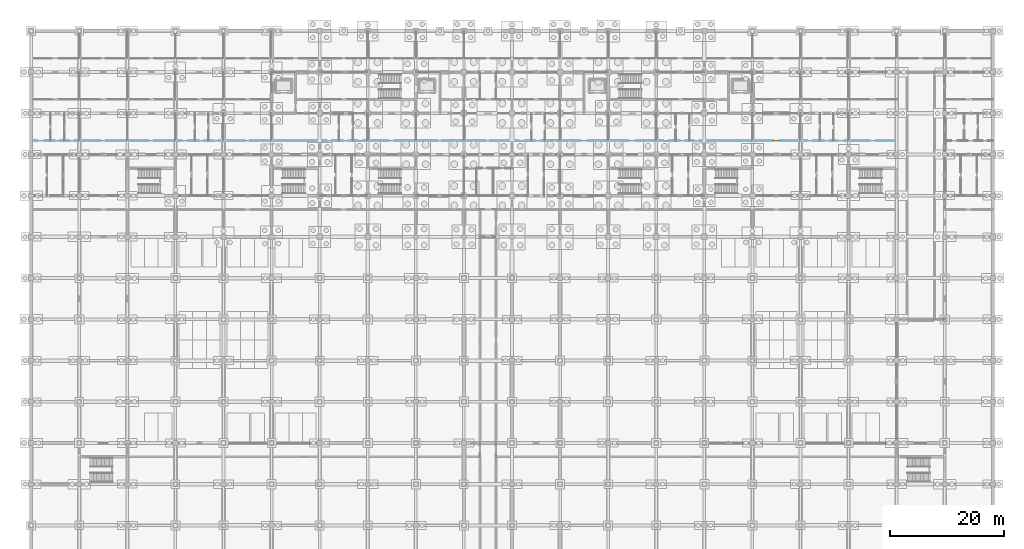
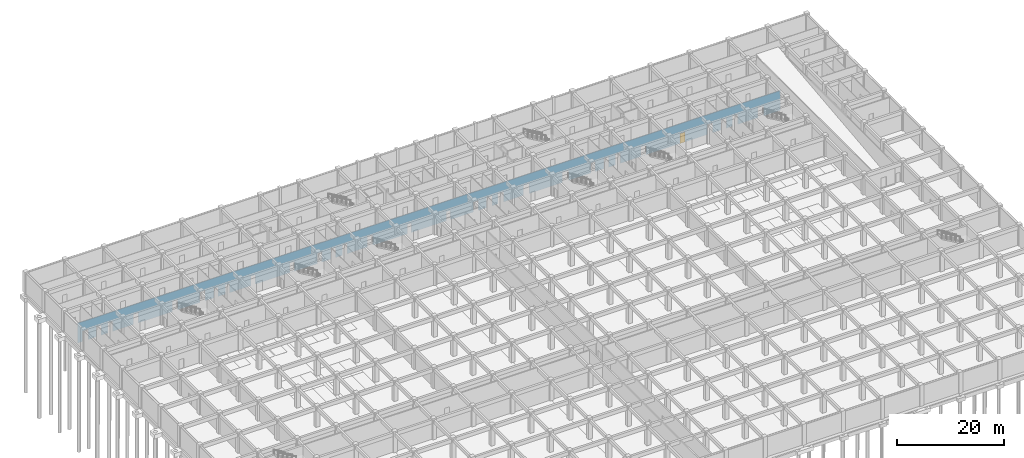
# One storey, part 66 of 85: 1 door, 30 openings, plus 1 element that does not belong to this part.
"""IFC4 building model written with IfcOpenShell, lengths in metres."""

from ifc_helpers import new_model, si_unit, direction, frame, frame_2d, origin, place, context, subcontext, project, spatial, rectangle, extrude, material, layer, layer_set, type_object, element, fill, save


model = new_model("IFC4")

# Units and contexts
model_context = context("Model", 3, precision=1e-05, world=origin(), true_north=direction((0.0, 1.0)))
body_context = subcontext(model_context, "Body", "Model", "MODEL_VIEW")
ifc_project = project(units=[si_unit("LENGTHUNIT", "METRE"), si_unit("AREAUNIT", "SQUARE_METRE"), si_unit("VOLUMEUNIT", "CUBIC_METRE"), si_unit("PLANEANGLEUNIT", "RADIAN"), si_unit("MASSUNIT", "GRAM", prefix="KILO")], contexts=[model_context])

# Site, building, storey
site_placement = place(None, origin())
site = spatial("IfcSite", under=ifc_project, at=site_placement, CompositionType="ELEMENT")
building_placement = place(site_placement, origin())
building = spatial("IfcBuilding", under=site, at=building_placement, Name="Chengyuan Square Courthouse", CompositionType="ELEMENT")
storey_placement = place(building_placement, frame((0.0, 0.0, -10.199951171875)))
storey = spatial("IfcBuildingStorey", under=building, at=storey_placement, Name="B02", CompositionType="ELEMENT", Elevation=-10.199951171875)

# Wall, openings, door
ifc_material_1 = material(Name="Gypsum Plasterboard Acoustic Stud Partition")
ifc_layer = layer(ifc_material_1, 0.10009765625)
ifc_layer_set = layer_set([ifc_layer], Name="Gypsum Plasterboard Acoustic Stud Partition")
wall_type = type_object("IfcWallType", Name="WL-PT6", PredefinedType="STANDARD", material=ifc_layer_set)
wall_placement = place(storey_placement, frame((0.0400390625, 96.0, 0.0), z_axis=(0.0, 0.0, 1.0), x_axis=(1.0, 0.0, 0.0)))
wall = element("IfcWall", 1, at=wall_placement, inside=storey, type_object=wall_type, Name="Interior Wall WL-B02-I062", PredefinedType="STANDARD", context=body_context, shape_type="SweptSolid", body=[
    extrude(rectangle(XDim=151.159912109375, YDim=0.10009765625, at=frame_2d((75.580078125, 0.0))), origin(), (0.0, 0.0, 1.0), 4.47998046875),
])
opening_1_placement = place(wall_placement, frame((1.0400390625, 0.0, 0.0)))
element("IfcOpeningElement", 2, at=opening_1_placement, cuts=wall, Name="Opening DR-148", PredefinedType="OPENING", context=body_context, shape_type="SweptSolid", body=[
    extrude(rectangle(XDim=1.280029296875, YDim=2.35009765625, at=frame_2d((0.64013671875, 1.175048828125))), frame((0.0, 0.06201171875, 0.0), z_axis=(0.0, -1.0, 0.0), x_axis=(1.0, 0.0, 0.0)), (0.0, 0.0, 1.0), 0.1240234375),
])
opening_2_placement = place(wall_placement, frame((4.090087890625, 0.0, 0.0)))
element("IfcOpeningElement", 3, at=opening_2_placement, cuts=wall, Name="Opening DR-149", PredefinedType="OPENING", context=body_context, shape_type="SweptSolid", body=[
    extrude(rectangle(XDim=0.93994140625, YDim=2.300048828125, at=frame_2d((0.469970703125, 1.14990234375))), frame((0.0, 0.06201171875, 0.0), z_axis=(0.0, -1.0, 0.0), x_axis=(1.0, 0.0, 0.0)), (0.0, 0.0, 1.0), 0.1240234375),
])
opening_3_placement = place(wall_placement, frame((6.570068359375, 0.0, 0.0)))
element("IfcOpeningElement", 4, at=opening_3_placement, cuts=wall, Name="Opening DR-150", PredefinedType="OPENING", context=body_context, shape_type="SweptSolid", body=[
    extrude(rectangle(XDim=0.97998046875, YDim=2.35009765625, at=frame_2d((0.489990234375, 1.175048828125))), frame((0.0, 0.06201171875, 0.0), z_axis=(0.0, -1.0, 0.0), x_axis=(1.0, 0.0, 0.0)), (0.0, 0.0, 1.0), 0.1240234375),
])
opening_4_placement = place(wall_placement, frame((12.050048828125, 0.0, 0.0)))
element("IfcOpeningElement", 5, at=opening_4_placement, cuts=wall, Name="Opening DR-151", PredefinedType="OPENING", context=body_context, shape_type="SweptSolid", body=[
    extrude(rectangle(XDim=1.02001953125, YDim=2.39990234375, at=frame_2d((0.510009765625, 1.199951171875))), frame((0.0, 0.06201171875, 0.0), z_axis=(0.0, -1.0, 0.0), x_axis=(1.0, 0.0, 0.0)), (0.0, 0.0, 1.0), 0.1240234375),
])
opening_5_placement = place(wall_placement, frame((20.429931640625, 0.0, 0.0)))
element("IfcOpeningElement", 6, at=opening_5_placement, cuts=wall, Name="Opening DR-152", PredefinedType="OPENING", context=body_context, shape_type="SweptSolid", body=[
    extrude(rectangle(XDim=1.06005859375, YDim=2.39990234375, at=frame_2d((0.530029296875, 1.199951171875))), frame((0.0, 0.06201171875, 0.0), z_axis=(0.0, -1.0, 0.0), x_axis=(1.0, 0.0, 0.0)), (0.0, 0.0, 1.0), 0.1240234375),
])
opening_6_placement = place(wall_placement, frame((26.2900390625, 0.0, 0.0)))
element("IfcOpeningElement", 7, at=opening_6_placement, cuts=wall, Name="Opening DR-153", PredefinedType="OPENING", context=body_context, shape_type="SweptSolid", body=[
    extrude(rectangle(XDim=1.139892578125, YDim=2.39990234375, at=frame_2d((0.56982421875, 1.199951171875))), frame((0.0, 0.06201171875, 0.0), z_axis=(0.0, -1.0, 0.0), x_axis=(1.0, 0.0, 0.0)), (0.0, 0.0, 1.0), 0.1240234375),
])
opening_7_placement = place(wall_placement, frame((29.31005859375, 0.0, 0.0)))
element("IfcOpeningElement", 8, at=opening_7_placement, cuts=wall, Name="Opening DR-154", PredefinedType="OPENING", context=body_context, shape_type="SweptSolid", body=[
    extrude(rectangle(XDim=0.89990234375, YDim=2.14990234375, at=frame_2d((0.449951171875, 1.074951171875))), frame((0.0, 0.06201171875, 0.0), z_axis=(0.0, -1.0, 0.0), x_axis=(1.0, 0.0, 0.0)), (0.0, 0.0, 1.0), 0.1240234375),
])
opening_8_placement = place(wall_placement, frame((31.830078125, 0.0, 0.0)))
element("IfcOpeningElement", 9, at=opening_8_placement, cuts=wall, Name="Opening DR-155", PredefinedType="OPENING", context=body_context, shape_type="SweptSolid", body=[
    extrude(rectangle(XDim=0.860107421875, YDim=2.10009765625, at=frame_2d((0.43017578125, 1.050048828125))), frame((0.0, 0.06201171875, 0.0), z_axis=(0.0, -1.0, 0.0), x_axis=(1.0, 0.0, 0.0)), (0.0, 0.0, 1.0), 0.1240234375),
])
opening_9_placement = place(wall_placement, frame((37.300048828125, 0.0, 0.0)))
element("IfcOpeningElement", 10, at=opening_9_placement, cuts=wall, Name="Opening DR-156", PredefinedType="OPENING", context=body_context, shape_type="SweptSolid", body=[
    extrude(rectangle(XDim=0.919921875, YDim=2.14990234375, at=frame_2d((0.4599609375, 1.074951171875))), frame((0.0, 0.06201171875, 0.0), z_axis=(0.0, -1.0, 0.0), x_axis=(1.0, 0.0, 0.0)), (0.0, 0.0, 1.0), 0.1240234375),
])
opening_10_placement = place(wall_placement, frame((45.679931640625, 0.0, 0.0)))
element("IfcOpeningElement", 11, at=opening_10_placement, cuts=wall, Name="Opening DR-157", PredefinedType="OPENING", context=body_context, shape_type="SweptSolid", body=[
    extrude(rectangle(XDim=0.9599609375, YDim=2.199951171875, at=frame_2d((0.47998046875, 1.10009765625))), frame((0.0, 0.06201171875, 0.0), z_axis=(0.0, -1.0, 0.0), x_axis=(1.0, 0.0, 0.0)), (0.0, 0.0, 1.0), 0.1240234375),
])
opening_11_placement = place(wall_placement, frame((51.570068359375, 0.0, 0.0)))
element("IfcOpeningElement", 12, at=opening_11_placement, cuts=wall, Name="Opening DR-167", PredefinedType="OPENING", context=body_context, shape_type="SweptSolid", body=[
    extrude(rectangle(XDim=0.97998046875, YDim=2.35009765625, at=frame_2d((0.489990234375, 1.175048828125))), frame((0.0, 0.06201171875, 0.0), z_axis=(0.0, -1.0, 0.0), x_axis=(1.0, 0.0, 0.0)), (0.0, 0.0, 1.0), 0.1240234375),
])
opening_12_placement = place(wall_placement, frame((54.449951171875, 0.0, 0.0)))
element("IfcOpeningElement", 13, at=opening_12_placement, cuts=wall, Name="Opening DR-168", PredefinedType="OPENING", context=body_context, shape_type="SweptSolid", body=[
    extrude(rectangle(XDim=1.02001953125, YDim=2.39990234375, at=frame_2d((0.510009765625, 1.199951171875))), frame((0.0, 0.06201171875, 0.0), z_axis=(0.0, -1.0, 0.0), x_axis=(1.0, 0.0, 0.0)), (0.0, 0.0, 1.0), 0.1240234375),
])
opening_13_placement = place(wall_placement, frame((56.929931640625, 0.0, 0.0)))
element("IfcOpeningElement", 14, at=opening_13_placement, cuts=wall, Name="Opening DR-169", PredefinedType="OPENING", context=body_context, shape_type="SweptSolid", body=[
    extrude(rectangle(XDim=1.06005859375, YDim=2.39990234375, at=frame_2d((0.530029296875, 1.199951171875))), frame((0.0, 0.06201171875, 0.0), z_axis=(0.0, -1.0, 0.0), x_axis=(1.0, 0.0, 0.0)), (0.0, 0.0, 1.0), 0.1240234375),
])
opening_14_placement = place(wall_placement, frame((62.389892578125, 0.0, 0.0)))
element("IfcOpeningElement", 15, at=opening_14_placement, cuts=wall, Name="Opening DR-170", PredefinedType="OPENING", context=body_context, shape_type="SweptSolid", body=[
    extrude(rectangle(XDim=1.139892578125, YDim=2.39990234375, at=frame_2d((0.56982421875, 1.199951171875))), frame((0.0, 0.06201171875, 0.0), z_axis=(0.0, -1.0, 0.0), x_axis=(1.0, 0.0, 0.0)), (0.0, 0.0, 1.0), 0.1240234375),
])
opening_15_placement = place(wall_placement, frame((70.909912109375, 0.0, 0.0)))
element("IfcOpeningElement", 16, at=opening_15_placement, cuts=wall, Name="Opening DR-171", PredefinedType="OPENING", context=body_context, shape_type="SweptSolid", body=[
    extrude(rectangle(XDim=0.89990234375, YDim=2.14990234375, at=frame_2d((0.449951171875, 1.074951171875))), frame((0.0, 0.06201171875, 0.0), z_axis=(0.0, -1.0, 0.0), x_axis=(1.0, 0.0, 0.0)), (0.0, 0.0, 1.0), 0.1240234375),
])
opening_16_placement = place(wall_placement, frame((79.330078125, 0.0, 0.0)))
element("IfcOpeningElement", 17, at=opening_16_placement, cuts=wall, Name="Opening DR-172", PredefinedType="OPENING", context=body_context, shape_type="SweptSolid", body=[
    extrude(rectangle(XDim=0.860107421875, YDim=2.10009765625, at=frame_2d((0.43017578125, 1.050048828125))), frame((0.0, 0.06201171875, 0.0), z_axis=(0.0, -1.0, 0.0), x_axis=(1.0, 0.0, 0.0)), (0.0, 0.0, 1.0), 0.1240234375),
])
opening_17_placement = place(wall_placement, frame((85.10009765625, 0.0, 0.0)))
element("IfcOpeningElement", 18, at=opening_17_placement, cuts=wall, Name="Opening DR-178", PredefinedType="OPENING", context=body_context, shape_type="SweptSolid", body=[
    extrude(rectangle(XDim=1.1201171875, YDim=2.25, at=frame_2d((0.56005859375, 1.125))), frame((0.0, 0.06201171875, 0.0), z_axis=(0.0, -1.0, 0.0), x_axis=(1.0, 0.0, 0.0)), (0.0, 0.0, 1.0), 0.1240234375),
])
opening_18_placement = place(wall_placement, frame((87.97998046875, 0.0, 0.0)))
element("IfcOpeningElement", 19, at=opening_18_placement, cuts=wall, Name="Opening DR-179", PredefinedType="OPENING", context=body_context, shape_type="SweptSolid", body=[
    extrude(rectangle(XDim=1.159912109375, YDim=2.300048828125, at=frame_2d((0.580078125, 1.14990234375))), frame((0.0, 0.06201171875, 0.0), z_axis=(0.0, -1.0, 0.0), x_axis=(1.0, 0.0, 0.0)), (0.0, 0.0, 1.0), 0.1240234375),
])
opening_19_placement = place(wall_placement, frame((90.4599609375, 0.0, 0.0)))
element("IfcOpeningElement", 20, at=opening_19_placement, cuts=wall, Name="Opening DR-180", PredefinedType="OPENING", context=body_context, shape_type="SweptSolid", body=[
    extrude(rectangle(XDim=1.199951171875, YDim=2.35009765625, at=frame_2d((0.60009765625, 1.175048828125))), frame((0.0, 0.06201171875, 0.0), z_axis=(0.0, -1.0, 0.0), x_axis=(1.0, 0.0, 0.0)), (0.0, 0.0, 1.0), 0.1240234375),
])
opening_20_placement = place(wall_placement, frame((95.93994140625, 0.0, 0.0)))
element("IfcOpeningElement", 21, at=opening_20_placement, cuts=wall, Name="Opening DR-181", PredefinedType="OPENING", context=body_context, shape_type="SweptSolid", body=[
    extrude(rectangle(XDim=1.239990234375, YDim=2.300048828125, at=frame_2d((0.6201171875, 1.14990234375))), frame((0.0, 0.06201171875, 0.0), z_axis=(0.0, -1.0, 0.0), x_axis=(1.0, 0.0, 0.0)), (0.0, 0.0, 1.0), 0.1240234375),
])
opening_21_placement = place(wall_placement, frame((104.320068359375, 0.0, 0.0)))
element("IfcOpeningElement", 22, at=opening_21_placement, cuts=wall, Name="Opening DR-182", PredefinedType="OPENING", context=body_context, shape_type="SweptSolid", body=[
    extrude(rectangle(XDim=1.280029296875, YDim=2.35009765625, at=frame_2d((0.64013671875, 1.175048828125))), frame((0.0, 0.06201171875, 0.0), z_axis=(0.0, -1.0, 0.0), x_axis=(1.0, 0.0, 0.0)), (0.0, 0.0, 1.0), 0.1240234375),
])
opening_22_placement = place(wall_placement, frame((110.389892578125, 0.0, 0.0)))
element("IfcOpeningElement", 23, at=opening_22_placement, cuts=wall, Name="Opening DR-183", PredefinedType="OPENING", context=body_context, shape_type="SweptSolid", body=[
    extrude(rectangle(XDim=0.93994140625, YDim=2.300048828125, at=frame_2d((0.469970703125, 1.14990234375))), frame((0.0, 0.06201171875, 0.0), z_axis=(0.0, -1.0, 0.0), x_axis=(1.0, 0.0, 0.0)), (0.0, 0.0, 1.0), 0.1240234375),
])
opening_23_placement = place(wall_placement, frame((113.27001953125, 0.0, 0.0)))
element("IfcOpeningElement", 24, at=opening_23_placement, cuts=wall, Name="Opening DR-184", PredefinedType="OPENING", context=body_context, shape_type="SweptSolid", body=[
    extrude(rectangle(XDim=0.97998046875, YDim=2.35009765625, at=frame_2d((0.489990234375, 1.175048828125))), frame((0.0, 0.06201171875, 0.0), z_axis=(0.0, -1.0, 0.0), x_axis=(1.0, 0.0, 0.0)), (0.0, 0.0, 1.0), 0.1240234375),
])
opening_24_placement = place(wall_placement, frame((115.75, 0.0, 0.0)))
element("IfcOpeningElement", 25, at=opening_24_placement, cuts=wall, Name="Opening DR-185", PredefinedType="OPENING", context=body_context, shape_type="SweptSolid", body=[
    extrude(rectangle(XDim=1.02001953125, YDim=2.39990234375, at=frame_2d((0.510009765625, 1.199951171875))), frame((0.0, 0.06201171875, 0.0), z_axis=(0.0, -1.0, 0.0), x_axis=(1.0, 0.0, 0.0)), (0.0, 0.0, 1.0), 0.1240234375),
])
opening_25_placement = place(wall_placement, frame((121.239990234375, 0.0, 0.0)))
element("IfcOpeningElement", 26, at=opening_25_placement, cuts=wall, Name="Opening DR-193", PredefinedType="OPENING", context=body_context, shape_type="SweptSolid", body=[
    extrude(rectangle(XDim=1.0400390625, YDim=2.199951171875, at=frame_2d((0.52001953125, 1.10009765625))), frame((0.0, 0.06201171875, 0.0), z_axis=(0.0, -1.0, 0.0), x_axis=(1.0, 0.0, 0.0)), (0.0, 0.0, 1.0), 0.1240234375),
])
opening_26_placement = place(wall_placement, frame((129.6201171875, 0.0, 0.0)))
opening_26 = element("IfcOpeningElement", 27, at=opening_26_placement, cuts=wall, Name="Opening DR-194", PredefinedType="OPENING", context=body_context, shape_type="SweptSolid", body=[
    extrude(rectangle(XDim=1.080078125, YDim=2.25, at=frame_2d((0.5400390625, 1.125))), frame((0.0, 0.06201171875, 0.0), z_axis=(0.0, -1.0, 0.0), x_axis=(1.0, 0.0, 0.0)), (0.0, 0.0, 1.0), 0.1240234375),
])
opening_27_placement = place(wall_placement, frame((135.5, 0.0, 0.0)))
element("IfcOpeningElement", 28, at=opening_27_placement, cuts=wall, Name="Opening DR-195", PredefinedType="OPENING", context=body_context, shape_type="SweptSolid", body=[
    extrude(rectangle(XDim=1.1201171875, YDim=2.25, at=frame_2d((0.56005859375, 1.125))), frame((0.0, 0.06201171875, 0.0), z_axis=(0.0, -1.0, 0.0), x_axis=(1.0, 0.0, 0.0)), (0.0, 0.0, 1.0), 0.1240234375),
])
opening_28_placement = place(wall_placement, frame((138.3798828125, 0.0, 0.0)))
element("IfcOpeningElement", 29, at=opening_28_placement, cuts=wall, Name="Opening DR-196", PredefinedType="OPENING", context=body_context, shape_type="SweptSolid", body=[
    extrude(rectangle(XDim=1.159912109375, YDim=2.300048828125, at=frame_2d((0.580078125, 1.14990234375))), frame((0.0, 0.06201171875, 0.0), z_axis=(0.0, -1.0, 0.0), x_axis=(1.0, 0.0, 0.0)), (0.0, 0.0, 1.0), 0.1240234375),
])
opening_29_placement = place(wall_placement, frame((140.860107421875, 0.0, 0.0)))
element("IfcOpeningElement", 30, at=opening_29_placement, cuts=wall, Name="Opening DR-197", PredefinedType="OPENING", context=body_context, shape_type="SweptSolid", body=[
    extrude(rectangle(XDim=1.199951171875, YDim=2.35009765625, at=frame_2d((0.60009765625, 1.175048828125))), frame((0.0, 0.06201171875, 0.0), z_axis=(0.0, -1.0, 0.0), x_axis=(1.0, 0.0, 0.0)), (0.0, 0.0, 1.0), 0.1240234375),
])
opening_30_placement = place(wall_placement, frame((146.340087890625, 0.0, 0.0)))
element("IfcOpeningElement", 31, at=opening_30_placement, cuts=wall, Name="Opening DR-198", PredefinedType="OPENING", context=body_context, shape_type="SweptSolid", body=[
    extrude(rectangle(XDim=1.239990234375, YDim=2.300048828125, at=frame_2d((0.6201171875, 1.14990234375))), frame((0.0, 0.06201171875, 0.0), z_axis=(0.0, -1.0, 0.0), x_axis=(1.0, 0.0, 0.0)), (0.0, 0.0, 1.0), 0.1240234375),
])
ifc_material_2 = material(Name="Acoustic Solid-Core Timber Door", Category="wood")
door_type = type_object("IfcDoorType", Name="DT-33", OperationType="NOTDEFINED", PredefinedType="DOOR", material=ifc_material_2)
door_placement = place(opening_26_placement, origin())
door = element("IfcDoor", 32, at=door_placement, inside=storey, type_object=door_type, Name="Interior Door DR-194", OperationType="SINGLE_SWING_LEFT", OverallHeight=2.25, OverallWidth=1.080078125, PredefinedType="DOOR", context=body_context, shape_type="SweptSolid", body=[
    extrude(rectangle(XDim=1.080078125, YDim=2.25, at=frame_2d((0.5400390625, 1.125))), frame((0.0, 0.02490234375, 0.0), z_axis=(0.0, -1.0, 0.0), x_axis=(1.0, 0.0, 0.0)), (0.0, 0.0, 1.0), 0.050048828125),
])
fill(opening_26, door)

save(model, "model.ifc")
